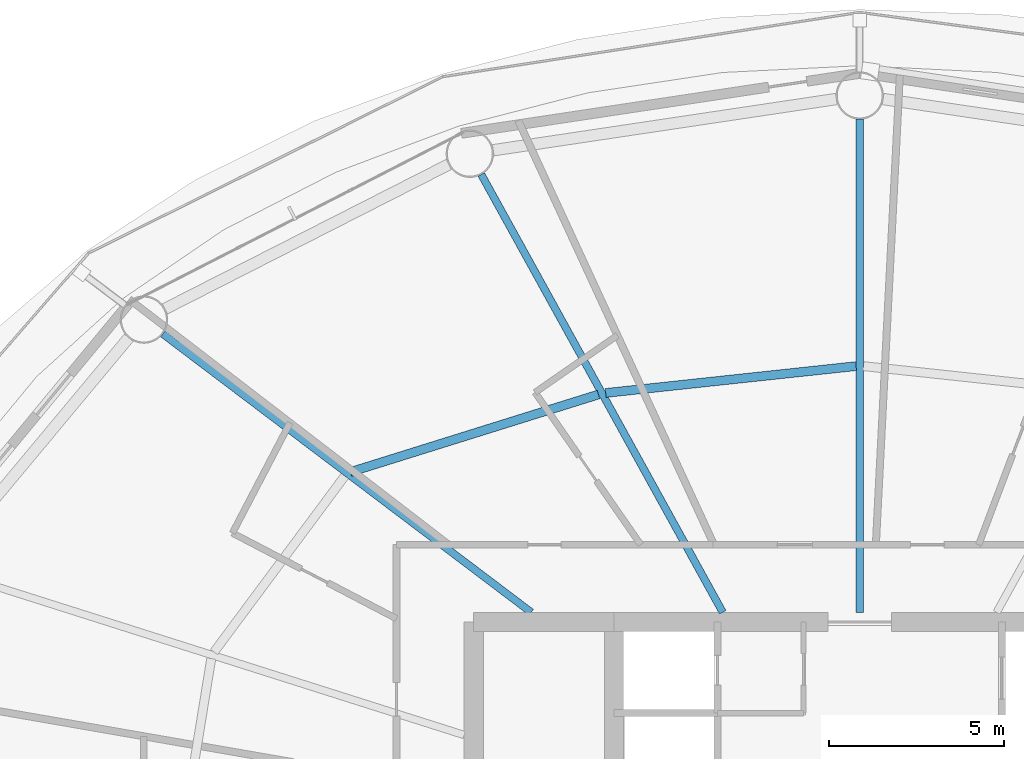
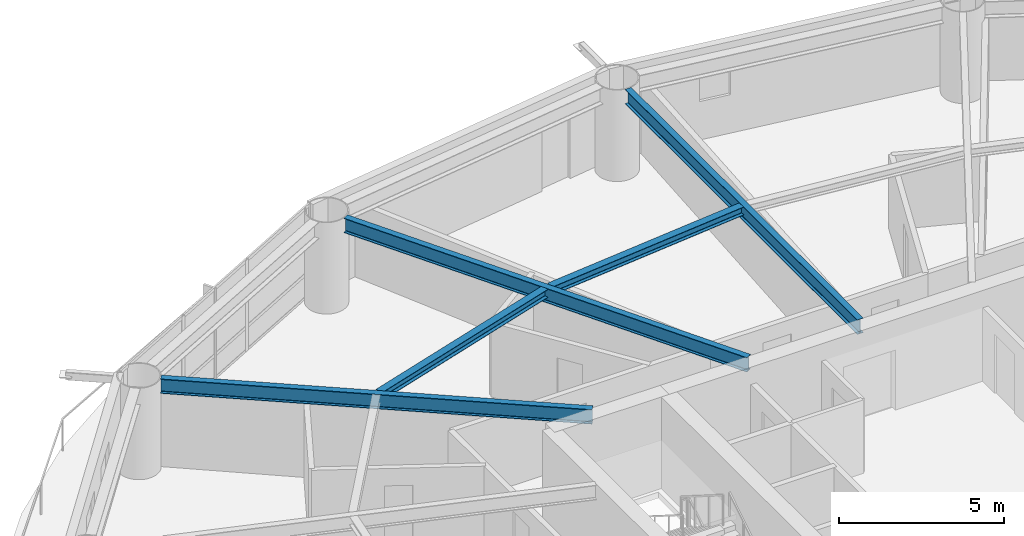
# One storey, part 9 of 24: 5 beams.
"""IFC4 building model written with IfcOpenShell, lengths in metres."""

from ifc_helpers import new_model, si_unit, direction, frame, origin, origin_2d, place, context, subcontext, project, spatial, i_section, extrude, material, material_profile, profile_set, type_object, element, save


model = new_model("IFC4")

# Units and contexts
model_context = context("Model", 3, precision=1e-05, world=origin(), true_north=direction((0.0, 1.0)))
body_context = subcontext(model_context, "Body", "Model", "MODEL_VIEW")
ifc_project = project(units=[si_unit("LENGTHUNIT", "METRE"), si_unit("AREAUNIT", "SQUARE_METRE"), si_unit("VOLUMEUNIT", "CUBIC_METRE"), si_unit("PLANEANGLEUNIT", "RADIAN"), si_unit("MASSUNIT", "GRAM", prefix="KILO")], contexts=[model_context])

# Site, building, storey
site_placement = place(None, origin())
site = spatial("IfcSite", under=ifc_project, at=site_placement, CompositionType="ELEMENT")
building_placement = place(site_placement, origin())
building = spatial("IfcBuilding", under=site, at=building_placement, Name="Sarneth Arch Tower", CompositionType="ELEMENT")
storey_placement = place(building_placement, frame((0.0, 0.0, 87.60009765625)))
storey = spatial("IfcBuildingStorey", under=building, at=storey_placement, Name="L21", CompositionType="ELEMENT", Elevation=87.60009765625)

# Beams
ifc_material_1 = material(Name="Steel S355", Category="steel")
ifc_material_profile_1 = material_profile(ifc_material_1, i_section(OverallWidth=0.25390625, OverallDepth=0.305908203125, WebThickness=0.0087890625, FlangeThickness=0.0146484375, FilletRadius=0.014892578125, at=origin_2d()), Name="W310x79")
ifc_profile_set_1 = profile_set([ifc_material_profile_1], Name="Steel S355")
beam_type_1 = type_object("IfcBeamType", Name="BM-JOIST-310A", PredefinedType="JOIST", material=ifc_profile_set_1)
beam_1_placement = place(storey_placement, frame((47.89501953125, 56.0888671875, 3.226806640625), z_axis=(-0.99429330851, -0.106680910441, 0.0), x_axis=(0.106680910441, -0.99429330851, 0.0)))
element("IfcBeam", 1, at=beam_1_placement, inside=storey, type_object=beam_type_1, Name="L21 Secondary floor joist 05", PredefinedType="JOIST", context=body_context, shape_type="SweptSolid", body=[
    extrude(i_section(OverallWidth=0.25390625, OverallDepth=0.305908203125, WebThickness=0.0087890625, FlangeThickness=0.0146484375, FilletRadius=0.014892578125, at=origin_2d()), origin(), (0.0, 0.0, 1.0), 7.174560546875),
])
beam_2_placement = place(storey_placement, frame((40.5556640625, 55.28076171875, 3.226806640625), z_axis=(-0.9544870201, -0.298252457594, 0.0), x_axis=(0.298252457594, -0.9544870201, 0.0)))
element("IfcBeam", 2, at=beam_2_placement, inside=storey, type_object=beam_type_1, Name="L21 Secondary floor joist 06", PredefinedType="JOIST", context=body_context, shape_type="SweptSolid", body=[
    extrude(i_section(OverallWidth=0.25390625, OverallDepth=0.305908203125, WebThickness=0.0087890625, FlangeThickness=0.0146484375, FilletRadius=0.014892578125, at=origin_2d()), origin(), (0.0, 0.0, 1.0), 7.40234375),
])
ifc_material_2 = material(Name="Steel S355", Category="steel")
ifc_material_profile_2 = material_profile(ifc_material_2, i_section(OverallWidth=0.2109375, OverallDepth=0.5390625, WebThickness=0.01171875, FlangeThickness=0.018798828125, FilletRadius=0.01806640625, at=origin_2d()), Name="W530x109")
ifc_profile_set_2 = profile_set([ifc_material_profile_2], Name="Steel S355")
beam_type_2 = type_object("IfcBeamType", Name="BM-RAD-530B", PredefinedType="BEAM", material=ifc_profile_set_2)
beam_3_placement = place(storey_placement, frame((48.0, 49.074951171875, 3.1103515625), z_axis=(0.0, 1.0, 0.0), x_axis=(-1.0, 0.0, 0.0)))
element("IfcBeam", 3, at=beam_3_placement, inside=storey, type_object=beam_type_2, Name="L21 Radial floor girder 05", PredefinedType="BEAM", context=body_context, shape_type="SweptSolid", body=[
    extrude(i_section(OverallWidth=0.2109375, OverallDepth=0.5390625, WebThickness=0.01171875, FlangeThickness=0.018798828125, FilletRadius=0.01806640625, at=origin_2d()), origin(), (0.0, 0.0, 1.0), 14.050048828125),
])
beam_4_placement = place(storey_placement, frame((44.09716796875, 49.074951171875, 3.1103515625), z_axis=(-0.48301301286, 0.875613173387, 0.0), x_axis=(-0.875613173387, -0.48301301286, 0.0)))
element("IfcBeam", 4, at=beam_4_placement, inside=storey, type_object=beam_type_2, Name="L21 Radial floor girder 06", PredefinedType="BEAM", context=body_context, shape_type="SweptSolid", body=[
    extrude(i_section(OverallWidth=0.2109375, OverallDepth=0.5390625, WebThickness=0.01171875, FlangeThickness=0.018798828125, FilletRadius=0.01806640625, at=origin_2d()), origin(), (0.0, 0.0, 1.0), 14.246826171875),
])
beam_5_placement = place(storey_placement, frame((38.63818359375, 49.074951171875, 3.1103515625), z_axis=(-0.797801476102, 0.602920230818, 0.0), x_axis=(-0.602920230818, -0.797801476102, 0.0)))
element("IfcBeam", 5, at=beam_5_placement, inside=storey, type_object=beam_type_2, Name="L21 Radial floor girder 07", PredefinedType="BEAM", context=body_context, shape_type="SweptSolid", body=[
    extrude(i_section(OverallWidth=0.2109375, OverallDepth=0.5390625, WebThickness=0.01171875, FlangeThickness=0.018798828125, FilletRadius=0.01806640625, at=origin_2d()), origin(), (0.0, 0.0, 1.0), 13.15771484375),
])

save(model, "model.ifc")
